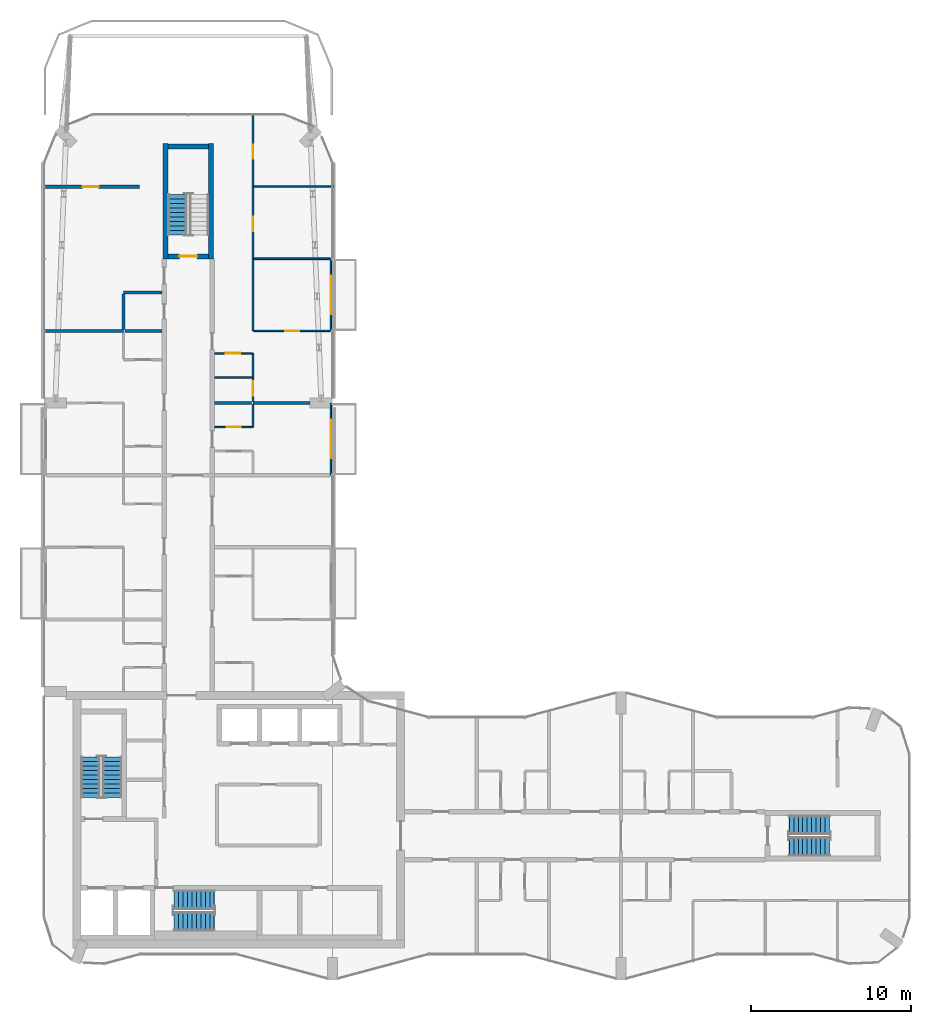
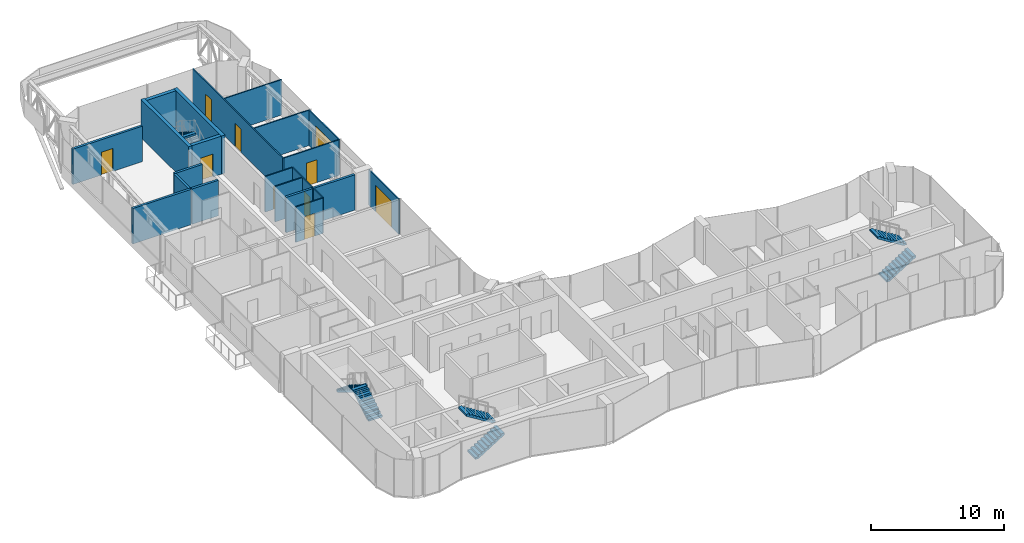
# One storey, part 13 of 17: 22 walls, 10 doors, 7 stair flights, 10 openings, 4 elements without a shape of their own.
"""IFC4 building model written with IfcOpenShell, lengths in metres."""

from ifc_helpers import new_model, si_unit, direction, frame, frame_2d, origin, place, context, subcontext, project, spatial, polyline, rectangle, outline, extrude, material, layer, layer_set, type_object, element, fill, aggregate, save


model = new_model("IFC4")

# Units and contexts
model_context = context("Model", 3, precision=1e-05, world=origin(), true_north=direction((0.0, 1.0)))
body_context = subcontext(model_context, "Body", "Model", "MODEL_VIEW")
ifc_project = project(units=[si_unit("LENGTHUNIT", "METRE"), si_unit("AREAUNIT", "SQUARE_METRE"), si_unit("VOLUMEUNIT", "CUBIC_METRE"), si_unit("PLANEANGLEUNIT", "RADIAN"), si_unit("MASSUNIT", "GRAM", prefix="KILO")], contexts=[model_context])

# Site, building, storey
site_placement = place(None, origin())
site = spatial("IfcSite", under=ifc_project, at=site_placement, CompositionType="ELEMENT")
building_placement = place(site_placement, origin())
building = spatial("IfcBuilding", under=site, at=building_placement, Name="Plateau Cross Towers", CompositionType="ELEMENT")
storey_placement = place(building_placement, frame((0.0, 0.0, 222.39990234375)))
storey = spatial("IfcBuildingStorey", under=building, at=storey_placement, Name="L58", CompositionType="ELEMENT", Elevation=222.39990234375)

# Wall, opening, door
ifc_material_1 = material(Name="Aluminium framed glazing", Category="aluminium")
ifc_layer_1 = layer(ifc_material_1, 0.10009765625)
ifc_layer_set_1 = layer_set([ifc_layer_1], Name="Aluminium framed glazing")
wall_type_1 = type_object("IfcWallType", Name="Balcony screen wall 100", PredefinedType="STANDARD", material=ifc_layer_set_1)
wall_1_placement = place(storey_placement, frame((17.89990234375, 36.0, 0.0), z_axis=(0.0, 0.0, 1.0), x_axis=(0.0, -1.0, 0.0)))
wall_1 = element("IfcWall", 1, at=wall_1_placement, inside=storey, type_object=wall_type_1, Name="Balcony screen wall A-BAL-L58-04", PredefinedType="STANDARD", context=body_context, shape_type="SweptSolid", body=[
    extrude(rectangle(XDim=4.5, YDim=0.10009765625, at=frame_2d((2.25, 0.0))), origin(), (0.0, 0.0, 1.0), 3.25),
])
opening_1_placement = place(wall_1_placement, frame((1.050048828125, 0.0, 0.0)))
opening_1 = element("IfcOpeningElement", 2, at=opening_1_placement, cuts=wall_1, Name="Opening D-B24", PredefinedType="OPENING", context=body_context, shape_type="SweptSolid", body=[
    extrude(rectangle(XDim=2.39990234375, YDim=2.39990234375, at=frame_2d((1.199951171875, 1.199951171875))), frame((0.0, 0.06005859375, 0.0), z_axis=(0.0, -1.0, 0.0), x_axis=(1.0, 0.0, 0.0)), (0.0, 0.0, 1.0), 0.1201171875),
])
ifc_material_2 = material(Name="Aluminium frame, double glazing", Category="aluminium")
door_type_1 = type_object("IfcDoorType", Name="Balcony sliding door 2400", OperationType="NOTDEFINED", PredefinedType="DOOR", material=ifc_material_2)
door_1_placement = place(opening_1_placement, origin())
door_1 = element("IfcDoor", 3, at=door_1_placement, inside=storey, type_object=door_type_1, Name="Balcony door A-BAL-L58-04", OperationType="SINGLE_SWING_LEFT", OverallHeight=2.39990234375, OverallWidth=2.39990234375, PredefinedType="DOOR", context=body_context, shape_type="SweptSolid", body=[
    extrude(rectangle(XDim=2.39990234375, YDim=2.39990234375, at=frame_2d((1.199951171875, 1.199951171875))), frame((0.0, 0.02490234375, 0.0), z_axis=(0.0, -1.0, 0.0), x_axis=(1.0, 0.0, 0.0)), (0.0, 0.0, 1.0), 0.050048828125),
])
fill(opening_1, door_1)

wall_2_placement = place(storey_placement, frame((17.89990234375, 45.0, 0.0), z_axis=(0.0, 0.0, 1.0), x_axis=(0.0, -1.0, 0.0)))
wall_2 = element("IfcWall", 4, at=wall_2_placement, inside=storey, type_object=wall_type_1, Name="Balcony screen wall A-BAL-L58-05", PredefinedType="STANDARD", context=body_context, shape_type="SweptSolid", body=[
    extrude(rectangle(XDim=4.5, YDim=0.10009765625, at=frame_2d((2.25, 0.0))), origin(), (0.0, 0.0, 1.0), 3.25),
])
opening_2_placement = place(wall_2_placement, frame((1.050048828125, 0.0, 0.0)))
opening_2 = element("IfcOpeningElement", 5, at=opening_2_placement, cuts=wall_2, Name="Opening D-B24", PredefinedType="OPENING", context=body_context, shape_type="SweptSolid", body=[
    extrude(rectangle(XDim=2.39990234375, YDim=2.39990234375, at=frame_2d((1.199951171875, 1.199951171875))), frame((0.0, 0.06005859375, 0.0), z_axis=(0.0, -1.0, 0.0), x_axis=(1.0, 0.0, 0.0)), (0.0, 0.0, 1.0), 0.1201171875),
])
door_2_placement = place(opening_2_placement, origin())
door_2 = element("IfcDoor", 6, at=door_2_placement, inside=storey, type_object=door_type_1, Name="Balcony door A-BAL-L58-05", OperationType="SINGLE_SWING_LEFT", OverallHeight=2.39990234375, OverallWidth=2.39990234375, PredefinedType="DOOR", context=body_context, shape_type="SweptSolid", body=[
    extrude(rectangle(XDim=2.39990234375, YDim=2.39990234375, at=frame_2d((1.199951171875, 1.199951171875))), frame((0.0, 0.02490234375, 0.0), z_axis=(0.0, -1.0, 0.0), x_axis=(1.0, 0.0, 0.0)), (0.0, 0.0, 1.0), 0.050048828125),
])
fill(opening_2, door_2)

ifc_material_3 = material(Name="Gypsum board on steel studs", Category="steel")
ifc_layer_2 = layer(ifc_material_3, 0.10009765625)
ifc_layer_set_2 = layer_set([ifc_layer_2], Name="Gypsum board on steel studs")
wall_type_2 = type_object("IfcWallType", Name="Flat partition 100", PredefinedType="PARTITIONING", material=ifc_layer_set_2)
wall_3_placement = place(storey_placement, frame((10.637451171875, 34.5, 0.0), z_axis=(0.0, 0.0, 1.0), x_axis=(1.0, 0.0, 0.0)))
wall_3 = element("IfcWall", 7, at=wall_3_placement, inside=storey, type_object=wall_type_2, Name="Partition wall", PredefinedType="PARTITIONING", context=body_context, shape_type="SweptSolid", body=[
    extrude(rectangle(XDim=2.35009765625, YDim=0.10009765625, at=frame_2d((1.175048828125, 0.0))), origin(), (0.0, 0.0, 1.0), 3.25),
])
opening_3_placement = place(wall_3_placement, frame((0.75, 0.0, 0.0)))
opening_3 = element("IfcOpeningElement", 8, at=opening_3_placement, cuts=wall_3, Name="Opening 58-47", PredefinedType="OPENING", context=body_context, shape_type="SweptSolid", body=[
    extrude(rectangle(XDim=0.89990234375, YDim=2.10009765625, at=frame_2d((0.449951171875, 1.050048828125))), frame((0.0, 0.06005859375, 0.0), z_axis=(0.0, -1.0, 0.0), x_axis=(1.0, 0.0, 0.0)), (0.0, 0.0, 1.0), 0.1201171875),
])
ifc_material_4 = material(Name="Timber leaf", Category="wood")
door_type_2 = type_object("IfcDoorType", Name="Flat room door 900", OperationType="NOTDEFINED", PredefinedType="DOOR", material=ifc_material_4)
door_3_placement = place(opening_3_placement, origin())
door_3 = element("IfcDoor", 9, at=door_3_placement, inside=storey, type_object=door_type_2, Name="Door 58-47", OperationType="SINGLE_SWING_RIGHT", OverallHeight=2.10009765625, OverallWidth=0.89990234375, PredefinedType="DOOR", context=body_context, shape_type="SweptSolid", body=[
    extrude(rectangle(XDim=0.89990234375, YDim=2.10009765625, at=frame_2d((0.449951171875, 1.050048828125))), frame((0.0, 0.02490234375, 0.0), z_axis=(0.0, -1.0, 0.0), x_axis=(1.0, 0.0, 0.0)), (0.0, 0.0, 1.0), 0.050048828125),
])
fill(opening_3, door_3)

# Wall
wall_4_placement = place(storey_placement, frame((12.987548828125, 37.60009765625, 0.0), z_axis=(0.0, 0.0, 1.0), x_axis=(-1.0, 0.0, 0.0)))
element("IfcWall", 10, at=wall_4_placement, inside=storey, type_object=wall_type_2, Name="Partition wall", PredefinedType="PARTITIONING", context=body_context, shape_type="SweptSolid", body=[
    extrude(rectangle(XDim=2.35009765625, YDim=0.10009765625, at=frame_2d((1.175048828125, 0.0))), origin(), (0.0, 0.0, 1.0), 3.25),
])

# Wall, opening, door
wall_5_placement = place(storey_placement, frame((12.987548828125, 39.10009765625, 0.0), z_axis=(0.0, 0.0, 1.0), x_axis=(-1.0, 0.0, 0.0)))
wall_5 = element("IfcWall", 11, at=wall_5_placement, inside=storey, type_object=wall_type_2, Name="Partition wall", PredefinedType="PARTITIONING", context=body_context, shape_type="SweptSolid", body=[
    extrude(rectangle(XDim=2.35009765625, YDim=0.10009765625, at=frame_2d((1.175048828125, 0.0))), origin(), (0.0, 0.0, 1.0), 3.25),
])
opening_4_placement = place(wall_5_placement, frame((0.75, 0.0, 0.0)))
opening_4 = element("IfcOpeningElement", 12, at=opening_4_placement, cuts=wall_5, Name="Opening 58-49", PredefinedType="OPENING", context=body_context, shape_type="SweptSolid", body=[
    extrude(rectangle(XDim=0.89990234375, YDim=2.10009765625, at=frame_2d((0.449951171875, 1.050048828125))), frame((0.0, 0.06005859375, 0.0), z_axis=(0.0, -1.0, 0.0), x_axis=(1.0, 0.0, 0.0)), (0.0, 0.0, 1.0), 0.1201171875),
])
door_4_placement = place(opening_4_placement, origin())
door_4 = element("IfcDoor", 13, at=door_4_placement, inside=storey, type_object=door_type_2, Name="Door 58-49", OperationType="SINGLE_SWING_RIGHT", OverallHeight=2.10009765625, OverallWidth=0.89990234375, PredefinedType="DOOR", context=body_context, shape_type="SweptSolid", body=[
    extrude(rectangle(XDim=0.89990234375, YDim=2.10009765625, at=frame_2d((0.449951171875, 1.050048828125))), frame((0.0, 0.02490234375, 0.0), z_axis=(0.0, -1.0, 0.0), x_axis=(1.0, 0.0, 0.0)), (0.0, 0.0, 1.0), 0.050048828125),
])
fill(opening_4, door_4)

wall_6_placement = place(storey_placement, frame((13.08740234375, 40.5, 0.0), z_axis=(0.0, 0.0, 1.0), x_axis=(1.0, 0.0, 0.0)))
wall_6 = element("IfcWall", 14, at=wall_6_placement, inside=storey, type_object=wall_type_2, Name="Partition wall", PredefinedType="PARTITIONING", context=body_context, shape_type="SweptSolid", body=[
    extrude(rectangle(XDim=4.7626953125, YDim=0.10009765625, at=frame_2d((2.38134765625, 0.0))), origin(), (0.0, 0.0, 1.0), 3.25),
])
opening_5_placement = place(wall_6_placement, frame((1.949951171875, 0.0, 0.0)))
opening_5 = element("IfcOpeningElement", 15, at=opening_5_placement, cuts=wall_6, Name="Opening 58-50", PredefinedType="OPENING", context=body_context, shape_type="SweptSolid", body=[
    extrude(rectangle(XDim=0.89990234375, YDim=2.10009765625, at=frame_2d((0.449951171875, 1.050048828125))), frame((0.0, 0.06005859375, 0.0), z_axis=(0.0, -1.0, 0.0), x_axis=(1.0, 0.0, 0.0)), (0.0, 0.0, 1.0), 0.1201171875),
])
door_5_placement = place(opening_5_placement, origin())
door_5 = element("IfcDoor", 16, at=door_5_placement, inside=storey, type_object=door_type_2, Name="Door 58-50", OperationType="SINGLE_SWING_RIGHT", OverallHeight=2.10009765625, OverallWidth=0.89990234375, PredefinedType="DOOR", context=body_context, shape_type="SweptSolid", body=[
    extrude(rectangle(XDim=0.89990234375, YDim=2.10009765625, at=frame_2d((0.449951171875, 1.050048828125))), frame((0.0, 0.02490234375, 0.0), z_axis=(0.0, -1.0, 0.0), x_axis=(1.0, 0.0, 0.0)), (0.0, 0.0, 1.0), 0.050048828125),
])
fill(opening_5, door_5)

# Walls
wall_7_placement = place(storey_placement, frame((17.85009765625, 45.0, 0.0), z_axis=(0.0, 0.0, 1.0), x_axis=(-1.0, 0.0, 0.0)))
element("IfcWall", 17, at=wall_7_placement, inside=storey, type_object=wall_type_2, Name="Partition wall", PredefinedType="PARTITIONING", context=body_context, shape_type="SweptSolid", body=[
    extrude(rectangle(XDim=4.7626953125, YDim=0.10009765625, at=frame_2d((2.38134765625, 0.0))), origin(), (0.0, 0.0, 1.0), 3.25),
])
wall_8_placement = place(storey_placement, frame((18.080078125, 49.5, 0.0), z_axis=(0.0, 0.0, 1.0), x_axis=(-1.0, 0.0, 0.0)))
element("IfcWall", 18, at=wall_8_placement, inside=storey, type_object=wall_type_2, Name="Partition wall", PredefinedType="PARTITIONING", context=body_context, shape_type="SweptSolid", body=[
    extrude(rectangle(XDim=4.99267578125, YDim=0.10009765625, at=frame_2d((2.496337890625, 0.0))), origin(), (0.0, 0.0, 1.0), 3.25),
])

# Wall, openings, doors
wall_9_placement = place(storey_placement, frame((13.03759765625, 54.080078125, 0.0), z_axis=(0.0, 0.0, 1.0), x_axis=(0.0, -1.0, 0.0)))
wall_9 = element("IfcWall", 19, at=wall_9_placement, inside=storey, type_object=wall_type_2, Name="Partition wall", PredefinedType="PARTITIONING", context=body_context, shape_type="SweptSolid", body=[
    extrude(rectangle(XDim=13.580078125, YDim=0.10009765625, at=frame_2d((6.7900390625, 0.0))), origin(), (0.0, 0.0, 1.0), 3.25),
])
opening_6_placement = place(wall_9_placement, frame((6.449951171875, 0.0, 0.0)))
opening_6 = element("IfcOpeningElement", 20, at=opening_6_placement, cuts=wall_9, Name="Opening 58-51", PredefinedType="OPENING", context=body_context, shape_type="SweptSolid", body=[
    extrude(rectangle(XDim=0.89990234375, YDim=2.10009765625, at=frame_2d((0.449951171875, 1.050048828125))), frame((0.0, 0.06005859375, 0.0), z_axis=(0.0, -1.0, 0.0), x_axis=(1.0, 0.0, 0.0)), (0.0, 0.0, 1.0), 0.1201171875),
])
opening_7_placement = place(wall_9_placement, frame((1.949951171875, 0.0, 0.0)))
opening_7 = element("IfcOpeningElement", 21, at=opening_7_placement, cuts=wall_9, Name="Opening 58-52", PredefinedType="OPENING", context=body_context, shape_type="SweptSolid", body=[
    extrude(rectangle(XDim=0.89990234375, YDim=2.10009765625, at=frame_2d((0.449951171875, 1.050048828125))), frame((0.0, 0.06005859375, 0.0), z_axis=(0.0, -1.0, 0.0), x_axis=(1.0, 0.0, 0.0)), (0.0, 0.0, 1.0), 0.1201171875),
])
door_6_placement = place(opening_6_placement, origin())
door_6 = element("IfcDoor", 22, at=door_6_placement, inside=storey, type_object=door_type_2, Name="Door 58-51", OperationType="SINGLE_SWING_RIGHT", OverallHeight=2.10009765625, OverallWidth=0.89990234375, PredefinedType="DOOR", context=body_context, shape_type="SweptSolid", body=[
    extrude(rectangle(XDim=0.89990234375, YDim=2.10009765625, at=frame_2d((0.449951171875, 1.050048828125))), frame((0.0, 0.02490234375, 0.0), z_axis=(0.0, -1.0, 0.0), x_axis=(1.0, 0.0, 0.0)), (0.0, 0.0, 1.0), 0.050048828125),
])
fill(opening_6, door_6)
door_7_placement = place(opening_7_placement, origin())
door_7 = element("IfcDoor", 23, at=door_7_placement, inside=storey, type_object=door_type_2, Name="Door 58-52", OperationType="SINGLE_SWING_LEFT", OverallHeight=2.10009765625, OverallWidth=0.89990234375, PredefinedType="DOOR", context=body_context, shape_type="SweptSolid", body=[
    extrude(rectangle(XDim=0.89990234375, YDim=2.10009765625, at=frame_2d((0.449951171875, 1.050048828125))), frame((0.0, 0.02490234375, 0.0), z_axis=(0.0, -1.0, 0.0), x_axis=(1.0, 0.0, 0.0)), (0.0, 0.0, 1.0), 0.050048828125),
])
fill(opening_7, door_7)

# Wall
wall_10_placement = place(storey_placement, frame((13.03759765625, 34.5, 0.0), z_axis=(0.0, 0.0, 1.0), x_axis=(0.0, 1.0, 0.0)))
element("IfcWall", 24, at=wall_10_placement, inside=storey, type_object=wall_type_2, Name="Partition wall", PredefinedType="PARTITIONING", context=body_context, shape_type="SweptSolid", body=[
    extrude(rectangle(XDim=1.39990234375, YDim=0.10009765625, at=frame_2d((0.699951171875, 0.0))), origin(), (0.0, 0.0, 1.0), 3.25),
])

# Wall, opening, door
wall_11_placement = place(storey_placement, frame((13.03759765625, 36.10009765625, 0.0), z_axis=(0.0, 0.0, 1.0), x_axis=(0.0, 1.0, 0.0)))
wall_11 = element("IfcWall", 25, at=wall_11_placement, inside=storey, type_object=wall_type_2, Name="Partition wall", PredefinedType="PARTITIONING", context=body_context, shape_type="SweptSolid", body=[
    extrude(rectangle(XDim=3.0, YDim=0.10009765625, at=frame_2d((1.5, 0.0))), origin(), (0.0, 0.0, 1.0), 3.25),
])
opening_8_placement = place(wall_11_placement, frame((0.35009765625, 0.0, 0.0)))
opening_8 = element("IfcOpeningElement", 26, at=opening_8_placement, cuts=wall_11, Name="Opening 58-48", PredefinedType="OPENING", context=body_context, shape_type="SweptSolid", body=[
    extrude(rectangle(XDim=0.89990234375, YDim=2.10009765625, at=frame_2d((0.449951171875, 1.050048828125))), frame((0.0, 0.06005859375, 0.0), z_axis=(0.0, -1.0, 0.0), x_axis=(1.0, 0.0, 0.0)), (0.0, 0.0, 1.0), 0.1201171875),
])
door_8_placement = place(opening_8_placement, origin())
door_8 = element("IfcDoor", 27, at=door_8_placement, inside=storey, type_object=door_type_2, Name="Door 58-48", OperationType="SINGLE_SWING_LEFT", OverallHeight=2.10009765625, OverallWidth=0.89990234375, PredefinedType="DOOR", context=body_context, shape_type="SweptSolid", body=[
    extrude(rectangle(XDim=0.89990234375, YDim=2.10009765625, at=frame_2d((0.449951171875, 1.050048828125))), frame((0.0, 0.02490234375, 0.0), z_axis=(0.0, -1.0, 0.0), x_axis=(1.0, 0.0, 0.0)), (0.0, 0.0, 1.0), 0.050048828125),
])
fill(opening_8, door_8)

# Walls
ifc_material_5 = material(Name="Gypsum board on steel studs, two layers each side", Category="steel")
ifc_layer_3 = layer(ifc_material_5, 0.199951171875)
ifc_layer_set_3 = layer_set([ifc_layer_3], Name="Gypsum board on steel studs, two layers each side")
wall_type_3 = type_object("IfcWallType", Name="Flat party wall 200", PredefinedType="PARTITIONING", material=ifc_layer_set_3)
wall_12_placement = place(storey_placement, frame((12.9375, 36.0, 0.0), z_axis=(0.0, 0.0, 1.0), x_axis=(-1.0, 0.0, 0.0)))
element("IfcWall", 28, at=wall_12_placement, inside=storey, type_object=wall_type_3, Name="Party wall", PredefinedType="PARTITIONING", context=body_context, shape_type="SweptSolid", body=[
    extrude(rectangle(XDim=2.300048828125, YDim=0.199951171875, at=frame_2d((1.14990234375, 0.0))), origin(), (0.0, 0.0, 1.0), 3.25),
])
wall_13_placement = place(storey_placement, frame((13.03759765625, 36.0, 0.0), z_axis=(0.0, 0.0, 1.0), x_axis=(1.0, 0.0, 0.0)))
element("IfcWall", 29, at=wall_13_placement, inside=storey, type_object=wall_type_3, Name="Party wall", PredefinedType="PARTITIONING", context=body_context, shape_type="SweptSolid", body=[
    extrude(rectangle(XDim=3.5625, YDim=0.199951171875, at=frame_2d((1.78125, 0.0))), origin(), (0.0, 0.0, 1.0), 3.25),
])
wall_14_placement = place(storey_placement, frame((7.362548828125, 40.5, 0.0), z_axis=(0.0, 0.0, 1.0), x_axis=(-1.0, 0.0, 0.0)))
element("IfcWall", 30, at=wall_14_placement, inside=storey, type_object=wall_type_3, Name="Party wall", PredefinedType="PARTITIONING", context=body_context, shape_type="SweptSolid", body=[
    extrude(rectangle(XDim=2.300048828125, YDim=0.199951171875, at=frame_2d((1.14990234375, 0.0))), origin(), (0.0, 0.0, 1.0), 3.25),
])
wall_15_placement = place(storey_placement, frame((-0.080078125, 40.5, 0.0), z_axis=(0.0, 0.0, 1.0), x_axis=(1.0, 0.0, 0.0)))
element("IfcWall", 31, at=wall_15_placement, inside=storey, type_object=wall_type_3, Name="Party wall", PredefinedType="PARTITIONING", context=body_context, shape_type="SweptSolid", body=[
    extrude(rectangle(XDim=5.04248046875, YDim=0.199951171875, at=frame_2d((2.521240234375, 0.0))), origin(), (0.0, 0.0, 1.0), 3.25),
])
wall_16_placement = place(storey_placement, frame((7.362548828125, 42.89990234375, 0.0), z_axis=(0.0, 0.0, 1.0), x_axis=(-1.0, 0.0, 0.0)))
element("IfcWall", 32, at=wall_16_placement, inside=storey, type_object=wall_type_3, Name="Party wall", PredefinedType="PARTITIONING", context=body_context, shape_type="SweptSolid", body=[
    extrude(rectangle(XDim=2.400146484375, YDim=0.199951171875, at=frame_2d((1.2001953125, 0.0))), origin(), (0.0, 0.0, 1.0), 3.25),
])

# Wall, opening, door
wall_17_placement = place(storey_placement, frame((5.949951171875, 49.5, 0.0), z_axis=(0.0, 0.0, 1.0), x_axis=(-1.0, 0.0, 0.0)))
wall_17 = element("IfcWall", 33, at=wall_17_placement, inside=storey, type_object=wall_type_3, Name="Party wall", PredefinedType="PARTITIONING", context=body_context, shape_type="SweptSolid", body=[
    extrude(rectangle(XDim=6.030029296875, YDim=0.199951171875, at=frame_2d((3.01513671875, 0.0))), origin(), (0.0, 0.0, 1.0), 3.25),
])
opening_9_placement = place(wall_17_placement, frame((2.550048828125, 0.0, 0.0)))
opening_9 = element("IfcOpeningElement", 34, at=opening_9_placement, cuts=wall_17, Name="Opening 58-23", PredefinedType="OPENING", context=body_context, shape_type="SweptSolid", body=[
    extrude(rectangle(XDim=1.0, YDim=2.10009765625, at=frame_2d((0.5, 1.050048828125))), frame((0.0, 0.10986328125, 0.0), z_axis=(0.0, -1.0, 0.0), x_axis=(1.0, 0.0, 0.0)), (0.0, 0.0, 1.0), 0.219970703125),
])
ifc_material_6 = material(Name="Timber, fire-resisting leaf", Category="wood")
door_type_3 = type_object("IfcDoorType", Name="Flat entrance door 1000", OperationType="NOTDEFINED", PredefinedType="DOOR", material=ifc_material_6)
door_9_placement = place(opening_9_placement, origin())
door_9 = element("IfcDoor", 35, at=door_9_placement, inside=storey, type_object=door_type_3, Name="Door 58-23", OperationType="SINGLE_SWING_RIGHT", OverallHeight=2.10009765625, OverallWidth=1.0, PredefinedType="DOOR", context=body_context, shape_type="SweptSolid", body=[
    extrude(rectangle(XDim=1.0, YDim=2.10009765625, at=frame_2d((0.5, 1.050048828125))), frame((0.0, 0.02490234375, 0.0), z_axis=(0.0, -1.0, 0.0), x_axis=(1.0, 0.0, 0.0)), (0.0, 0.0, 1.0), 0.050048828125),
])
fill(opening_9, door_9)

# Wall
wall_18_placement = place(storey_placement, frame((4.96240234375, 42.800048828125, 0.0), z_axis=(0.0, 0.0, 1.0), x_axis=(0.0, -1.0, 0.0)))
element("IfcWall", 36, at=wall_18_placement, inside=storey, type_object=wall_type_3, Name="Party wall", PredefinedType="PARTITIONING", context=body_context, shape_type="SweptSolid", body=[
    extrude(rectangle(XDim=2.199951171875, YDim=0.199951171875, at=frame_2d((1.10009765625, 0.0))), origin(), (0.0, 0.0, 1.0), 3.25),
])

# Wall, opening, door
ifc_material_7 = material(Name="Concrete C60/75", Category="concrete")
ifc_layer_4 = layer(ifc_material_7, 0.300048828125)
ifc_layer_set_4 = layer_set([ifc_layer_4], Name="Concrete C60/75")
wall_type_4 = type_object("IfcWallType", Name="Stair tower wall 300", PredefinedType="SHEAR", material=ifc_layer_set_4)
wall_19_placement = place(storey_placement, frame((7.72509765625, 45.14990234375, 0.0), z_axis=(0.0, 0.0, 1.0), x_axis=(1.0, 0.0, 0.0)))
wall_19 = element("IfcWall", 37, at=wall_19_placement, inside=storey, type_object=wall_type_4, Name="A-end-N-S@L58", PredefinedType="SHEAR", context=body_context, shape_type="SweptSolid", body=[
    extrude(rectangle(XDim=2.5498046875, YDim=0.300048828125, at=frame_2d((1.27490234375, 0.0))), origin(), (0.0, 0.0, 1.0), 3.5),
])
opening_10_placement = place(wall_19_placement, frame((0.72509765625, 0.0, 0.0)))
opening_10 = element("IfcOpeningElement", 38, at=opening_10_placement, cuts=wall_19, Name="Opening SD", PredefinedType="OPENING", context=body_context, shape_type="SweptSolid", body=[
    extrude(rectangle(XDim=1.10009765625, YDim=2.10009765625, at=frame_2d((0.550048828125, 1.050048828125))), frame((0.0, 0.159912109375, 0.0), z_axis=(0.0, -1.0, 0.0), x_axis=(1.0, 0.0, 0.0)), (0.0, 0.0, 1.0), 0.320068359375),
])
ifc_material_8 = material(Name="Steel, fire-resisting leaf", Category="steel")
door_type_4 = type_object("IfcDoorType", Name="Stair door 1100", OperationType="NOTDEFINED", PredefinedType="DOOR", material=ifc_material_8)
door_10_placement = place(opening_10_placement, origin())
door_10 = element("IfcDoor", 39, at=door_10_placement, inside=storey, type_object=door_type_4, Name="Stair door SD", OperationType="SINGLE_SWING_LEFT", OverallHeight=2.10009765625, OverallWidth=1.10009765625, PredefinedType="DOOR", context=body_context, shape_type="SweptSolid", body=[
    extrude(rectangle(XDim=1.10009765625, YDim=2.10009765625, at=frame_2d((0.550048828125, 1.050048828125))), frame((0.0, 0.02490234375, 0.0), z_axis=(0.0, -1.0, 0.0), x_axis=(1.0, 0.0, 0.0)), (0.0, 0.0, 1.0), 0.050048828125),
])
fill(opening_10, door_10)

# Walls
wall_20_placement = place(storey_placement, frame((7.72509765625, 52.0, 0.0), z_axis=(0.0, 0.0, 1.0), x_axis=(1.0, 0.0, 0.0)))
element("IfcWall", 40, at=wall_20_placement, inside=storey, type_object=wall_type_4, Name="A-end-N-N@L58", PredefinedType="SHEAR", context=body_context, shape_type="SweptSolid", body=[
    extrude(rectangle(XDim=2.5498046875, YDim=0.300048828125, at=frame_2d((1.27490234375, 0.0))), origin(), (0.0, 0.0, 1.0), 3.5),
])
for number, where, z_axis, x_axis, name in (
    (41, (7.574951171875, 45.0, 0.0), (0.0, 0.0, 1.0), (0.0, 1.0, 0.0), "A-end-N-W@L58"),
    (42, (10.425048828125, 45.0, 0.0), (0.0, 0.0, 1.0), (0.0, 1.0, 0.0), "A-end-N-E@L58"),
):
    element("IfcWall", number, at=place(storey_placement, frame(where, z_axis=z_axis, x_axis=x_axis)), inside=storey, type_object=wall_type_4, Name=name, PredefinedType="SHEAR", context=body_context, shape_type="SweptSolid", body=[
        extrude(rectangle(XDim=7.199951171875, YDim=0.300048828125, at=frame_2d((3.60009765625, 0.0))), origin(), (0.0, 0.0, 1.0), 3.5),
    ])

# Stair, stair flights
ifc_material_9 = material(Name="Concrete C40/50", Category="concrete")
stair_type = type_object("IfcStairType", Name="ST-TWR", PredefinedType="HALF_TURN_STAIR", material=ifc_material_9)
stair_1_placement = place(storey_placement, origin())
stair_1 = element("IfcStair", 43, at=stair_1_placement, inside=storey, type_object=stair_type, Name="L58 Protected Exit Stair ST-1", PredefinedType="HALF_TURN_STAIR")
stair_flight_type = type_object("IfcStairFlightType", Name="SFL-RC", PredefinedType="STRAIGHT", material=ifc_material_9)
stair_flight_1_placement = place(storey_placement, frame((4.25, 11.39990234375, 0.0), z_axis=(0.0, 0.0, 1.0), x_axis=(0.0, 1.0, 0.0)))
stair_flight_1 = element("IfcStairFlight", 44, at=stair_flight_1_placement, type_object=stair_flight_type, Name="ST-1 flight 1", NumberOfRisers=10, NumberOfTreads=9, PredefinedType="STRAIGHT", RiserHeight=0.175, TreadLength=0.28, context=body_context, shape_type="SweptSolid", body=[
    extrude(outline(polyline([(-0.0048828125, -0.010009765625), (-0.0048828125, 0.0), (0.0, 0.0), (0.0, 0.175048828125), (0.280029296875, 0.175048828125), (0.280029296875, 0.35009765625), (0.56005859375, 0.35009765625), (0.56005859375, 0.52490234375), (0.840087890625, 0.52490234375), (0.840087890625, 0.699951171875), (1.1201171875, 0.699951171875), (1.1201171875, 0.875), (1.39990234375, 0.875), (1.39990234375, 1.050048828125), (1.679931640625, 1.050048828125), (1.679931640625, 1.22509765625), (1.9599609375, 1.22509765625), (1.9599609375, 1.39990234375), (2.239990234375, 1.39990234375), (2.239990234375, 1.574951171875), (2.52001953125, 1.574951171875), (2.52490234375, 1.56494140625), (2.52490234375, 1.398193359375), (2.52001953125, 1.398193359375), (0.28271484375, 0.0), (0.02001953125, 0.0), (0.02001953125, -0.010009765625), (-0.0048828125, -0.010009765625)])), frame((0.0, 0.60009765625, 0.0), z_axis=(0.0, -1.0, 0.0), x_axis=(1.0, 0.0, 0.0)), (0.0, 0.0, 1.0), 1.199951171875),
])
stair_flight_2_placement = place(storey_placement, frame((2.89990234375, 13.919921875, 1.75), z_axis=(0.0, 0.0, 1.0), x_axis=(0.0, -1.0, 0.0)))
stair_flight_2 = element("IfcStairFlight", 45, at=stair_flight_2_placement, type_object=stair_flight_type, Name="ST-1 flight 2", NumberOfRisers=10, NumberOfTreads=9, PredefinedType="STRAIGHT", RiserHeight=0.175, TreadLength=0.28, context=body_context, shape_type="SweptSolid", body=[
    extrude(outline(polyline([(-0.0048828125, -0.010009765625), (-0.0048828125, 0.0), (0.0, 0.0), (0.0, 0.175048828125), (0.280029296875, 0.175048828125), (0.280029296875, 0.35009765625), (0.56005859375, 0.35009765625), (0.56005859375, 0.52490234375), (0.840087890625, 0.52490234375), (0.840087890625, 0.699951171875), (1.1201171875, 0.699951171875), (1.1201171875, 0.875), (1.39990234375, 0.875), (1.39990234375, 1.050048828125), (1.679931640625, 1.050048828125), (1.679931640625, 1.22509765625), (1.9599609375, 1.22509765625), (1.9599609375, 1.39990234375), (2.239990234375, 1.39990234375), (2.239990234375, 1.574951171875), (2.52001953125, 1.574951171875), (2.52490234375, 1.56494140625), (2.52490234375, 1.398193359375), (2.52001953125, 1.398193359375), (0.28271484375, 0.0), (0.02001953125, 0.0), (0.02001953125, -0.010009765625), (-0.0048828125, -0.010009765625)])), frame((0.0, 0.60009765625, 0.0), z_axis=(0.0, -1.0, 0.0), x_axis=(1.0, 0.0, 0.0)), (0.0, 0.0, 1.0), 1.199951171875),
])
aggregate(stair_1, [stair_flight_1, stair_flight_2])

stair_2_placement = place(storey_placement, origin())
stair_2 = element("IfcStair", 46, at=stair_2_placement, inside=storey, type_object=stair_type, Name="L58 Protected Exit Stair ST-2", PredefinedType="HALF_TURN_STAIR")
stair_flight_3_placement = place(storey_placement, frame((8.10009765625, 3.64990234375, 0.0), z_axis=(0.0, 0.0, 1.0), x_axis=(1.0, 0.0, 0.0)))
stair_flight_3 = element("IfcStairFlight", 47, at=stair_flight_3_placement, type_object=stair_flight_type, Name="ST-2 flight 1", NumberOfRisers=10, NumberOfTreads=9, PredefinedType="STRAIGHT", RiserHeight=0.175, TreadLength=0.28, context=body_context, shape_type="SweptSolid", body=[
    extrude(outline(polyline([(-0.0048828125, -0.010009765625), (-0.0048828125, 0.0), (0.0, 0.0), (0.0, 0.175048828125), (0.280029296875, 0.175048828125), (0.280029296875, 0.35009765625), (0.56005859375, 0.35009765625), (0.56005859375, 0.52490234375), (0.840087890625, 0.52490234375), (0.840087890625, 0.699951171875), (1.1201171875, 0.699951171875), (1.1201171875, 0.875), (1.39990234375, 0.875), (1.39990234375, 1.050048828125), (1.679931640625, 1.050048828125), (1.679931640625, 1.22509765625), (1.9599609375, 1.22509765625), (1.9599609375, 1.39990234375), (2.239990234375, 1.39990234375), (2.239990234375, 1.574951171875), (2.52001953125, 1.574951171875), (2.52490234375, 1.56494140625), (2.52490234375, 1.398193359375), (2.52001953125, 1.398193359375), (0.28271484375, 0.0), (0.02001953125, 0.0), (0.02001953125, -0.010009765625), (-0.0048828125, -0.010009765625)])), frame((0.0, 0.60009765625, 0.0), z_axis=(0.0, -1.0, 0.0), x_axis=(1.0, 0.0, 0.0)), (0.0, 0.0, 1.0), 1.199951171875),
])
stair_flight_4_placement = place(storey_placement, frame((10.6201171875, 5.0, 1.75), z_axis=(0.0, 0.0, 1.0), x_axis=(-1.0, 0.0, 0.0)))
stair_flight_4 = element("IfcStairFlight", 48, at=stair_flight_4_placement, type_object=stair_flight_type, Name="ST-2 flight 2", NumberOfRisers=10, NumberOfTreads=9, PredefinedType="STRAIGHT", RiserHeight=0.175, TreadLength=0.28, context=body_context, shape_type="SweptSolid", body=[
    extrude(outline(polyline([(-0.0048828125, -0.010009765625), (-0.0048828125, 0.0), (0.0, 0.0), (0.0, 0.175048828125), (0.280029296875, 0.175048828125), (0.280029296875, 0.35009765625), (0.56005859375, 0.35009765625), (0.56005859375, 0.52490234375), (0.840087890625, 0.52490234375), (0.840087890625, 0.699951171875), (1.1201171875, 0.699951171875), (1.1201171875, 0.875), (1.39990234375, 0.875), (1.39990234375, 1.050048828125), (1.679931640625, 1.050048828125), (1.679931640625, 1.22509765625), (1.9599609375, 1.22509765625), (1.9599609375, 1.39990234375), (2.239990234375, 1.39990234375), (2.239990234375, 1.574951171875), (2.52001953125, 1.574951171875), (2.52490234375, 1.56494140625), (2.52490234375, 1.398193359375), (2.52001953125, 1.398193359375), (0.28271484375, 0.0), (0.02001953125, 0.0), (0.02001953125, -0.010009765625), (-0.0048828125, -0.010009765625)])), frame((0.0, 0.60009765625, 0.0), z_axis=(0.0, -1.0, 0.0), x_axis=(1.0, 0.0, 0.0)), (0.0, 0.0, 1.0), 1.199951171875),
])
aggregate(stair_2, [stair_flight_3, stair_flight_4])

stair_3_placement = place(storey_placement, origin())
stair_3 = element("IfcStair", 49, at=stair_3_placement, inside=storey, type_object=stair_type, Name="L58 Protected Exit Stair E", PredefinedType="HALF_TURN_STAIR")
stair_flight_5_placement = place(storey_placement, frame((46.5, 8.324951171875, 0.0), z_axis=(0.0, 0.0, 1.0), x_axis=(1.0, 0.0, 0.0)))
stair_flight_5 = element("IfcStairFlight", 50, at=stair_flight_5_placement, type_object=stair_flight_type, Name="ES-E flight 1", NumberOfRisers=10, NumberOfTreads=9, PredefinedType="STRAIGHT", RiserHeight=0.175, TreadLength=0.28, context=body_context, shape_type="SweptSolid", body=[
    extrude(outline(polyline([(-0.0048828125, -0.010009765625), (-0.0048828125, 0.0), (0.0, 0.0), (0.0, 0.175048828125), (0.280029296875, 0.175048828125), (0.280029296875, 0.35009765625), (0.56005859375, 0.35009765625), (0.56005859375, 0.52490234375), (0.840087890625, 0.52490234375), (0.840087890625, 0.699951171875), (1.1201171875, 0.699951171875), (1.1201171875, 0.875), (1.39990234375, 0.875), (1.39990234375, 1.050048828125), (1.679931640625, 1.050048828125), (1.679931640625, 1.22509765625), (1.9599609375, 1.22509765625), (1.9599609375, 1.39990234375), (2.239990234375, 1.39990234375), (2.239990234375, 1.574951171875), (2.52001953125, 1.574951171875), (2.52490234375, 1.56494140625), (2.52490234375, 1.398193359375), (2.52001953125, 1.398193359375), (0.28271484375, 0.0), (0.02001953125, 0.0), (0.02001953125, -0.010009765625), (-0.0048828125, -0.010009765625)])), frame((0.0, 0.60009765625, 0.0), z_axis=(0.0, -1.0, 0.0), x_axis=(1.0, 0.0, 0.0)), (0.0, 0.0, 1.0), 1.199951171875),
])
stair_flight_6_placement = place(storey_placement, frame((49.02001953125, 9.675048828125, 1.75), z_axis=(0.0, 0.0, 1.0), x_axis=(-1.0, 0.0, 0.0)))
stair_flight_6 = element("IfcStairFlight", 51, at=stair_flight_6_placement, type_object=stair_flight_type, Name="ES-E flight 2", NumberOfRisers=10, NumberOfTreads=9, PredefinedType="STRAIGHT", RiserHeight=0.175, TreadLength=0.28, context=body_context, shape_type="SweptSolid", body=[
    extrude(outline(polyline([(-0.0048828125, -0.010009765625), (-0.0048828125, 0.0), (0.0, 0.0), (0.0, 0.175048828125), (0.280029296875, 0.175048828125), (0.280029296875, 0.35009765625), (0.56005859375, 0.35009765625), (0.56005859375, 0.52490234375), (0.840087890625, 0.52490234375), (0.840087890625, 0.699951171875), (1.1201171875, 0.699951171875), (1.1201171875, 0.875), (1.39990234375, 0.875), (1.39990234375, 1.050048828125), (1.679931640625, 1.050048828125), (1.679931640625, 1.22509765625), (1.9599609375, 1.22509765625), (1.9599609375, 1.39990234375), (2.239990234375, 1.39990234375), (2.239990234375, 1.574951171875), (2.52001953125, 1.574951171875), (2.52490234375, 1.56494140625), (2.52490234375, 1.398193359375), (2.52001953125, 1.398193359375), (0.28271484375, 0.0), (0.02001953125, 0.0), (0.02001953125, -0.010009765625), (-0.0048828125, -0.010009765625)])), frame((0.0, 0.60009765625, 0.0), z_axis=(0.0, -1.0, 0.0), x_axis=(1.0, 0.0, 0.0)), (0.0, 0.0, 1.0), 1.199951171875),
])
aggregate(stair_3, [stair_flight_5, stair_flight_6])

# Stair, stair flight
stair_4_placement = place(storey_placement, origin())
stair_4 = element("IfcStair", 52, at=stair_4_placement, inside=storey, type_object=stair_type, Name="L58 Protected Exit Stair N", PredefinedType="HALF_TURN_STAIR")
stair_flight_7_placement = place(storey_placement, frame((8.324951171875, 49.02001953125, 1.75), z_axis=(0.0, 0.0, 1.0), x_axis=(0.0, -1.0, 0.0)))
stair_flight_7 = element("IfcStairFlight", 53, at=stair_flight_7_placement, type_object=stair_flight_type, Name="ES-N flight 2", NumberOfRisers=10, NumberOfTreads=9, PredefinedType="STRAIGHT", RiserHeight=0.175, TreadLength=0.28, context=body_context, shape_type="SweptSolid", body=[
    extrude(outline(polyline([(-0.0048828125, -0.010009765625), (-0.0048828125, 0.0), (0.0, 0.0), (0.0, 0.175048828125), (0.280029296875, 0.175048828125), (0.280029296875, 0.35009765625), (0.56005859375, 0.35009765625), (0.56005859375, 0.52490234375), (0.840087890625, 0.52490234375), (0.840087890625, 0.699951171875), (1.1201171875, 0.699951171875), (1.1201171875, 0.875), (1.39990234375, 0.875), (1.39990234375, 1.050048828125), (1.679931640625, 1.050048828125), (1.679931640625, 1.22509765625), (1.9599609375, 1.22509765625), (1.9599609375, 1.39990234375), (2.239990234375, 1.39990234375), (2.239990234375, 1.574951171875), (2.52001953125, 1.574951171875), (2.52490234375, 1.56494140625), (2.52490234375, 1.398193359375), (2.52001953125, 1.398193359375), (0.28271484375, 0.0), (0.02001953125, 0.0), (0.02001953125, -0.010009765625), (-0.0048828125, -0.010009765625)])), frame((0.0, 0.60009765625, 0.0), z_axis=(0.0, -1.0, 0.0), x_axis=(1.0, 0.0, 0.0)), (0.0, 0.0, 1.0), 1.199951171875),
])
aggregate(stair_4, [stair_flight_7])

save(model, "model.ifc")
